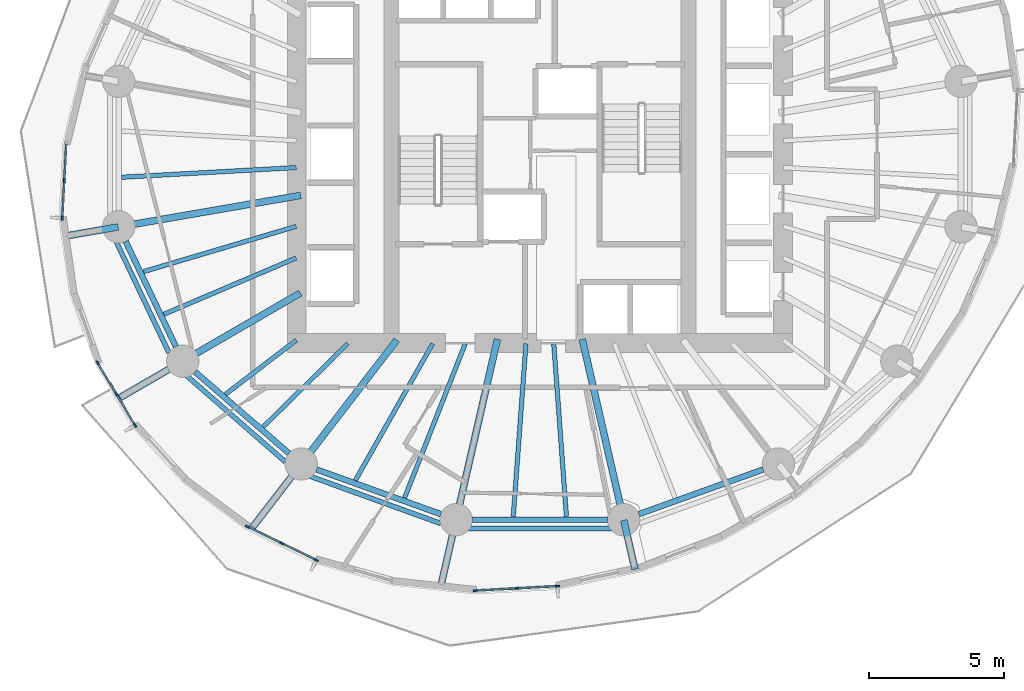
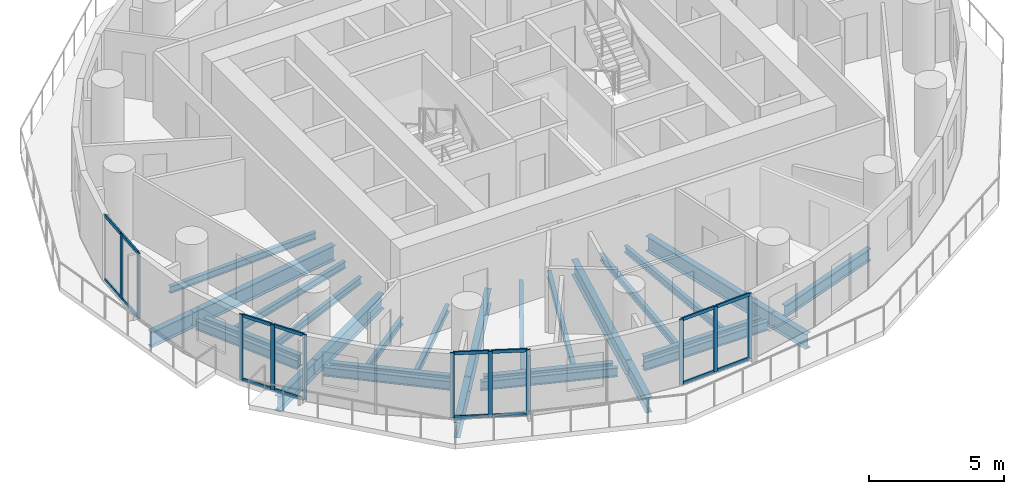
# One storey, part 2 of 15: 28 beams, 27 members, 4 elements without a shape of their own.
"""IFC4 building model written with IfcOpenShell, lengths in metres."""

from ifc_helpers import new_model, si_unit, direction, frame, origin, origin_2d, place, context, subcontext, project, spatial, rectangle, i_section, extrude, material, material_profile, profile_set, type_object, element, aggregate, save


model = new_model("IFC4")

# Units and contexts
model_context = context("Model", 3, precision=1e-05, world=origin(), true_north=direction((0.0, 1.0)))
body_context = subcontext(model_context, "Body", "Model", "MODEL_VIEW")
ifc_project = project(units=[si_unit("LENGTHUNIT", "METRE"), si_unit("AREAUNIT", "SQUARE_METRE"), si_unit("VOLUMEUNIT", "CUBIC_METRE"), si_unit("PLANEANGLEUNIT", "RADIAN"), si_unit("MASSUNIT", "GRAM", prefix="KILO")], contexts=[model_context])

# Site, building, storey
site_placement = place(None, origin())
site = spatial("IfcSite", under=ifc_project, at=site_placement, CompositionType="ELEMENT")
building_placement = place(site_placement, origin())
building = spatial("IfcBuilding", under=site, at=building_placement, Name="Veldorim Arch Residences", CompositionType="ELEMENT")
storey_placement = place(building_placement, frame((0.0, 0.0, 106.080078125)))
storey = spatial("IfcBuildingStorey", under=building, at=storey_placement, Name="L31", CompositionType="ELEMENT", Elevation=106.080078125)

# Beams
ifc_material_1 = material(Name="Steel S355", Category="steel")
ifc_material_profile_1 = material_profile(ifc_material_1, i_section(OverallWidth=0.2119140625, OverallDepth=0.54443359375, WebThickness=0.0126953125, FlangeThickness=0.021240234375, at=origin_2d()), Name="UB533x210x122")
ifc_profile_set_1 = profile_set([ifc_material_profile_1], Name="Steel S355")
beam_type_1 = type_object("IfcBeamType", Name="Structural Steel Beam UB533x210x122", PredefinedType="BEAM", material=ifc_profile_set_1)
beam_1_placement = place(storey_placement, frame((16.663818359375, 20.766357421875, -0.51220703125), z_axis=(0.430720154476, -0.902485539235, 0.0), x_axis=(0.902485539235, 0.430720154476, 0.0)))
element("IfcBeam", 1, at=beam_1_placement, inside=storey, type_object=beam_type_1, Name="L31 perimeter ring tie beam 09", PredefinedType="BEAM", context=body_context, shape_type="SweptSolid", body=[
    extrude(i_section(OverallWidth=0.2119140625, OverallDepth=0.54443359375, WebThickness=0.0126953125, FlangeThickness=0.021240234375, at=origin_2d()), origin(), (0.0, 0.0, 1.0), 4.312255859375),
])
beam_2_placement = place(storey_placement, frame((19.232666015625, 15.939697265625, -0.51220703125), z_axis=(0.755244952556, -0.655442645576, 0.0), x_axis=(0.655442645576, 0.755244952556, 0.0)))
element("IfcBeam", 2, at=beam_2_placement, inside=storey, type_object=beam_type_1, Name="L31 perimeter ring tie beam 10", PredefinedType="BEAM", context=body_context, shape_type="SweptSolid", body=[
    extrude(i_section(OverallWidth=0.2119140625, OverallDepth=0.54443359375, WebThickness=0.0126953125, FlangeThickness=0.021240234375, at=origin_2d()), origin(), (0.0, 0.0, 1.0), 4.608642578125),
])
beam_3_placement = place(storey_placement, frame((23.73095703125, 12.32275390625, -0.51220703125), z_axis=(0.941041944493, -0.338289903343, 0.0), x_axis=(0.338289903343, 0.941041944493, 0.0)))
element("IfcBeam", 3, at=beam_3_placement, inside=storey, type_object=beam_type_1, Name="L31 perimeter ring tie beam 11", PredefinedType="BEAM", context=body_context, shape_type="SweptSolid", body=[
    extrude(i_section(OverallWidth=0.2119140625, OverallDepth=0.54443359375, WebThickness=0.0126953125, FlangeThickness=0.021240234375, at=origin_2d()), origin(), (0.0, 0.0, 1.0), 4.890869140625),
])
beam_4_placement = place(storey_placement, frame((29.498046875, 10.465087890625, -0.51220703125), z_axis=(1.0, 0.0, 0.0), x_axis=(0.0, 1.0, 0.0)))
element("IfcBeam", 4, at=beam_4_placement, inside=storey, type_object=beam_type_1, Name="L31 perimeter ring tie beam 12", PredefinedType="BEAM", context=body_context, shape_type="SweptSolid", body=[
    extrude(i_section(OverallWidth=0.2119140625, OverallDepth=0.54443359375, WebThickness=0.0126953125, FlangeThickness=0.021240234375, at=origin_2d()), origin(), (0.0, 0.0, 1.0), 5.00390625),
])
beam_5_placement = place(storey_placement, frame((35.66650390625, 10.668212890625, -0.51220703125), z_axis=(0.941041944493, 0.338289903343, 0.0), x_axis=(-0.338289903343, 0.941041944493, 0.0)))
element("IfcBeam", 5, at=beam_5_placement, inside=storey, type_object=beam_type_1, Name="L31 perimeter ring tie beam 13", PredefinedType="BEAM", context=body_context, shape_type="SweptSolid", body=[
    extrude(i_section(OverallWidth=0.2119140625, OverallDepth=0.54443359375, WebThickness=0.0126953125, FlangeThickness=0.021240234375, at=origin_2d()), origin(), (0.0, 0.0, 1.0), 4.890869140625),
])
ifc_material_2 = material(Name="Steel S355", Category="steel")
ifc_material_profile_2 = material_profile(ifc_material_2, i_section(OverallWidth=0.25439453125, OverallDepth=0.6875, WebThickness=0.01318359375, FlangeThickness=0.02099609375, at=origin_2d()), Name="UB686x254x152")
ifc_profile_set_2 = profile_set([ifc_material_profile_2], Name="Steel S355")
beam_type_2 = type_object("IfcBeamType", Name="Structural Steel GIRDER UB686x254x152", PredefinedType="USERDEFINED", material=ifc_profile_set_2)
beam_6_placement = place(storey_placement, frame((23.147705078125, 22.4716796875, -0.583740234375), z_axis=(-0.985426622718, -0.17010106184, 0.0), x_axis=(0.17010106184, -0.985426622718, 0.0)))
element("IfcBeam", 6, at=beam_6_placement, inside=storey, type_object=beam_type_2, Name="L31 radial floor girder 09", ObjectType="GIRDER", PredefinedType="USERDEFINED", context=body_context, shape_type="SweptSolid", body=[
    extrude(i_section(OverallWidth=0.25439453125, OverallDepth=0.6875, WebThickness=0.01318359375, FlangeThickness=0.02099609375, at=origin_2d()), origin(), (0.0, 0.0, 1.0), 6.82177734375),
])
beam_7_placement = place(storey_placement, frame((16.3857421875, 21.304443359375, -0.583740234375), z_axis=(-0.985416355925, -0.170160528549, 0.0), x_axis=(0.170160528549, -0.985416355925, 0.0)))
element("IfcBeam", 7, at=beam_7_placement, inside=storey, type_object=beam_type_2, Name="L31 radial edge cantilever girder 09", ObjectType="GIRDER", PredefinedType="USERDEFINED", context=body_context, shape_type="SweptSolid", body=[
    extrude(i_section(OverallWidth=0.25439453125, OverallDepth=0.6875, WebThickness=0.01318359375, FlangeThickness=0.02099609375, at=origin_2d()), origin(), (0.0, 0.0, 1.0), 1.99853515625),
])
beam_8_placement = place(storey_placement, frame((23.1298828125, 18.85595703125, -0.583740234375), z_axis=(-0.865048957682, -0.501687453314, 0.0), x_axis=(0.501687453314, -0.865048957682, 0.0)))
element("IfcBeam", 8, at=beam_8_placement, inside=storey, type_object=beam_type_2, Name="L31 radial floor girder 10", ObjectType="GIRDER", PredefinedType="USERDEFINED", context=body_context, shape_type="SweptSolid", body=[
    extrude(i_section(OverallWidth=0.25439453125, OverallDepth=0.6875, WebThickness=0.01318359375, FlangeThickness=0.02099609375, at=origin_2d()), origin(), (0.0, 0.0, 1.0), 5.009033203125),
])
beam_9_placement = place(storey_placement, frame((18.76220703125, 16.322998046875, -0.583740234375), z_axis=(-0.865067975698, -0.501654659523, 0.0), x_axis=(0.501654659523, -0.865067975698, 0.0)))
element("IfcBeam", 9, at=beam_9_placement, inside=storey, type_object=beam_type_2, Name="L31 radial edge cantilever girder 10", ObjectType="GIRDER", PredefinedType="USERDEFINED", context=body_context, shape_type="SweptSolid", body=[
    extrude(i_section(OverallWidth=0.25439453125, OverallDepth=0.6875, WebThickness=0.01318359375, FlangeThickness=0.02099609375, at=origin_2d()), origin(), (0.0, 0.0, 1.0), 2.707275390625),
])
beam_10_placement = place(storey_placement, frame((26.702392578125, 17.118896484375, -0.583740234375), z_axis=(-0.609994628196, -0.792405548676, 0.0), x_axis=(0.792405548676, -0.609994628196, 0.0)))
element("IfcBeam", 10, at=beam_10_placement, inside=storey, type_object=beam_type_2, Name="L31 radial floor girder 11", ObjectType="GIRDER", PredefinedType="USERDEFINED", context=body_context, shape_type="SweptSolid", body=[
    extrude(i_section(OverallWidth=0.25439453125, OverallDepth=0.6875, WebThickness=0.01318359375, FlangeThickness=0.02099609375, at=origin_2d()), origin(), (0.0, 0.0, 1.0), 5.776611328125),
])
beam_11_placement = place(storey_placement, frame((23.154296875, 12.510009765625, -0.583740234375), z_axis=(-0.610006503027, -0.792396407277, 0.0), x_axis=(0.792396407277, -0.610006503027, 0.0)))
element("IfcBeam", 11, at=beam_11_placement, inside=storey, type_object=beam_type_2, Name="L31 radial edge cantilever girder 11", ObjectType="GIRDER", PredefinedType="USERDEFINED", context=body_context, shape_type="SweptSolid", body=[
    extrude(i_section(OverallWidth=0.25439453125, OverallDepth=0.6875, WebThickness=0.01318359375, FlangeThickness=0.02099609375, at=origin_2d()), origin(), (0.0, 0.0, 1.0), 2.99169921875),
])
beam_12_placement = place(storey_placement, frame((30.42919921875, 17.146240234375, -0.583740234375), z_axis=(-0.223374742148, -0.97473264261, 0.0), x_axis=(0.97473264261, -0.223374742148, 0.0)))
element("IfcBeam", 12, at=beam_12_placement, inside=storey, type_object=beam_type_2, Name="L31 radial floor girder 12", ObjectType="GIRDER", PredefinedType="USERDEFINED", context=body_context, shape_type="SweptSolid", body=[
    extrude(i_section(OverallWidth=0.25439453125, OverallDepth=0.6875, WebThickness=0.01318359375, FlangeThickness=0.02099609375, at=origin_2d()), origin(), (0.0, 0.0, 1.0), 6.834228515625),
])
beam_13_placement = place(storey_placement, frame((28.8935546875, 10.44580078125, -0.583740234375), z_axis=(-0.223351330049, -0.974738007552, 0.0), x_axis=(0.974738007552, -0.223351330049, 0.0)))
element("IfcBeam", 13, at=beam_13_placement, inside=storey, type_object=beam_type_2, Name="L31 radial edge cantilever girder 12", ObjectType="GIRDER", PredefinedType="USERDEFINED", context=body_context, shape_type="SweptSolid", body=[
    extrude(i_section(OverallWidth=0.25439453125, OverallDepth=0.6875, WebThickness=0.01318359375, FlangeThickness=0.02099609375, at=origin_2d()), origin(), (0.0, 0.0, 1.0), 2.530517578125),
])
beam_14_placement = place(storey_placement, frame((33.57080078125, 17.146240234375, -0.583740234375), z_axis=(0.223374742148, -0.97473264261, 0.0), x_axis=(0.97473264261, 0.223374742148, 0.0)))
element("IfcBeam", 14, at=beam_14_placement, inside=storey, type_object=beam_type_2, Name="L31 radial floor girder 13", ObjectType="GIRDER", PredefinedType="USERDEFINED", context=body_context, shape_type="SweptSolid", body=[
    extrude(i_section(OverallWidth=0.25439453125, OverallDepth=0.6875, WebThickness=0.01318359375, FlangeThickness=0.02099609375, at=origin_2d()), origin(), (0.0, 0.0, 1.0), 6.834228515625),
])
beam_15_placement = place(storey_placement, frame((35.1064453125, 10.44580078125, -0.583740234375), z_axis=(0.22332180692, -0.974744772007, 0.0), x_axis=(0.974744772007, 0.22332180692, 0.0)))
element("IfcBeam", 15, at=beam_15_placement, inside=storey, type_object=beam_type_2, Name="L31 radial edge cantilever girder 13", ObjectType="GIRDER", PredefinedType="USERDEFINED", context=body_context, shape_type="SweptSolid", body=[
    extrude(i_section(OverallWidth=0.25439453125, OverallDepth=0.6875, WebThickness=0.01318359375, FlangeThickness=0.02099609375, at=origin_2d()), origin(), (0.0, 0.0, 1.0), 1.8671875),
])
ifc_material_3 = material(Name="Steel S355", Category="steel")
ifc_material_profile_3 = material_profile(ifc_material_3, i_section(OverallWidth=0.165771484375, OverallDepth=0.306640625, WebThickness=0.006591796875, FlangeThickness=0.01171875, at=origin_2d()), Name="UB305x165x46")
ifc_profile_set_3 = profile_set([ifc_material_profile_3], Name="Steel S355")
beam_type_3 = type_object("IfcBeamType", Name="Structural Steel Joist UB305x165x46", PredefinedType="JOIST", material=ifc_profile_set_3)
beam_16_placement = place(storey_placement, frame((22.97998046875, 23.501708984375, -0.393310546875), z_axis=(-0.99847713097, -0.055167190702, 0.0), x_axis=(0.055167190702, -0.99847713097, 0.0)))
element("IfcBeam", 16, at=beam_16_placement, inside=storey, type_object=beam_type_3, Name="L31 secondary radial floor joist 08-2", PredefinedType="JOIST", context=body_context, shape_type="SweptSolid", body=[
    extrude(i_section(OverallWidth=0.165771484375, OverallDepth=0.306640625, WebThickness=0.006591796875, FlangeThickness=0.01171875, at=origin_2d()), origin(), (0.0, 0.0, 1.0), 6.474365234375),
])
beam_17_placement = place(storey_placement, frame((22.980712890625, 21.326416015625, -0.393310546875), z_axis=(-0.958753061488, -0.284240333324, 0.0), x_axis=(0.284240333324, -0.958753061488, 0.0)))
element("IfcBeam", 17, at=beam_17_placement, inside=storey, type_object=beam_type_3, Name="L31 secondary radial floor joist 09-1", PredefinedType="JOIST", context=body_context, shape_type="SweptSolid", body=[
    extrude(i_section(OverallWidth=0.165771484375, OverallDepth=0.306640625, WebThickness=0.006591796875, FlangeThickness=0.01171875, at=origin_2d()), origin(), (0.0, 0.0, 1.0), 5.906005859375),
])
beam_18_placement = place(storey_placement, frame((22.981689453125, 20.158447265625, -0.393310546875), z_axis=(-0.919997395122, -0.391924473552, 0.0), x_axis=(0.391924473552, -0.919997395122, 0.0)))
element("IfcBeam", 18, at=beam_18_placement, inside=storey, type_object=beam_type_3, Name="L31 secondary radial floor joist 09-2", PredefinedType="JOIST", context=body_context, shape_type="SweptSolid", body=[
    extrude(i_section(OverallWidth=0.165771484375, OverallDepth=0.306640625, WebThickness=0.006591796875, FlangeThickness=0.01171875, at=origin_2d()), origin(), (0.0, 0.0, 1.0), 5.334716796875),
])
beam_19_placement = place(storey_placement, frame((22.984130859375, 17.111572265625, -0.393310546875), z_axis=(-0.794594763594, -0.60714014994, 0.0), x_axis=(0.60714014994, -0.794594763594, 0.0)))
element("IfcBeam", 19, at=beam_19_placement, inside=storey, type_object=beam_type_3, Name="L31 secondary radial floor joist 10-1", PredefinedType="JOIST", context=body_context, shape_type="SweptSolid", body=[
    extrude(i_section(OverallWidth=0.165771484375, OverallDepth=0.306640625, WebThickness=0.006591796875, FlangeThickness=0.01171875, at=origin_2d()), origin(), (0.0, 0.0, 1.0), 3.30419921875),
])
beam_20_placement = place(storey_placement, frame((24.885986328125, 16.986083984375, -0.393310546875), z_axis=(-0.712111629941, -0.702066255066, 0.0), x_axis=(0.702066255066, -0.712111629941, 0.0)))
element("IfcBeam", 20, at=beam_20_placement, inside=storey, type_object=beam_type_3, Name="L31 secondary radial floor joist 10-2", PredefinedType="JOIST", context=body_context, shape_type="SweptSolid", body=[
    extrude(i_section(OverallWidth=0.165771484375, OverallDepth=0.306640625, WebThickness=0.006591796875, FlangeThickness=0.01171875, at=origin_2d()), origin(), (0.0, 0.0, 1.0), 4.39892578125),
])
beam_21_placement = place(storey_placement, frame((28.03173828125, 16.982666015625, -0.393310546875), z_axis=(-0.492227411199, -0.870466642476, 0.0), x_axis=(0.870466642476, -0.492227411199, 0.0)))
element("IfcBeam", 21, at=beam_21_placement, inside=storey, type_object=beam_type_3, Name="L31 secondary radial floor joist 11-1", PredefinedType="JOIST", context=body_context, shape_type="SweptSolid", body=[
    extrude(i_section(OverallWidth=0.165771484375, OverallDepth=0.306640625, WebThickness=0.006591796875, FlangeThickness=0.01171875, at=origin_2d()), origin(), (0.0, 0.0, 1.0), 5.81494140625),
])
beam_22_placement = place(storey_placement, frame((29.238037109375, 16.9814453125, -0.393310546875), z_axis=(-0.366194870364, -0.930538186707, 0.0), x_axis=(0.930538186707, -0.366194870364, 0.0)))
element("IfcBeam", 22, at=beam_22_placement, inside=storey, type_object=beam_type_3, Name="L31 secondary radial floor joist 11-2", PredefinedType="JOIST", context=body_context, shape_type="SweptSolid", body=[
    extrude(i_section(OverallWidth=0.165771484375, OverallDepth=0.306640625, WebThickness=0.006591796875, FlangeThickness=0.01171875, at=origin_2d()), origin(), (0.0, 0.0, 1.0), 6.1396484375),
])
for number, where, z_axis, x_axis, name in (
    (23, (31.485107421875, 16.97998046875, -0.393310546875), (-0.073143494169, -0.997321427254, 0.0), (0.997321427254, -0.073143494169, 0.0), "L31 secondary radial floor joist 12-1"),
    (24, (32.514892578125, 16.97998046875, -0.393310546875), (0.073143494169, -0.997321427254, 0.0), (0.997321427254, 0.073143494169, 0.0), "L31 secondary radial floor joist 12-2"),
):
    element("IfcBeam", number, at=place(storey_placement, frame(where, z_axis=z_axis, x_axis=x_axis)), inside=storey, type_object=beam_type_3, Name=name, PredefinedType="JOIST", context=body_context, shape_type="SweptSolid", body=[
        extrude(i_section(OverallWidth=0.165771484375, OverallDepth=0.306640625, WebThickness=0.006591796875, FlangeThickness=0.01171875, at=origin_2d()), origin(), (0.0, 0.0, 1.0), 6.421875),
    ])
ifc_material_4 = material(Name="Steel S355", Category="steel")
ifc_material_profile_4 = material_profile(ifc_material_4, i_section(OverallWidth=0.1787109375, OverallDepth=0.409423828125, WebThickness=0.0087890625, FlangeThickness=0.014404296875, at=origin_2d()), Name="UB406x178x67")
ifc_profile_set_4 = profile_set([ifc_material_profile_4], Name="Steel S355")
beam_type_4 = type_object("IfcBeamType", Name="Structural Steel Spandrel UB406x178x67", PredefinedType="SPANDREL", material=ifc_profile_set_4)
beam_23_placement = place(storey_placement, frame((16.306884765625, 20.774658203125, -0.46484375), z_axis=(0.428857472204, -0.903372165021, 0.0), x_axis=(0.903372165021, 0.428857472204, 0.0)))
element("IfcBeam", 25, at=beam_23_placement, inside=storey, type_object=beam_type_4, Name="L31 perimeter chord spandrel beam 09", PredefinedType="SPANDREL", context=body_context, shape_type="SweptSolid", body=[
    extrude(i_section(OverallWidth=0.1787109375, OverallDepth=0.409423828125, WebThickness=0.0087890625, FlangeThickness=0.014404296875, at=origin_2d()), origin(), (0.0, 0.0, 1.0), 4.572021484375),
])
beam_24_placement = place(storey_placement, frame((18.891845703125, 15.8203125, -0.46484375), z_axis=(0.753323239074, -0.65765043714, 0.0), x_axis=(0.65765043714, 0.753323239074, 0.0)))
element("IfcBeam", 26, at=beam_24_placement, inside=storey, type_object=beam_type_4, Name="L31 perimeter chord spandrel beam 10", PredefinedType="SPANDREL", context=body_context, shape_type="SweptSolid", body=[
    extrude(i_section(OverallWidth=0.1787109375, OverallDepth=0.409423828125, WebThickness=0.0087890625, FlangeThickness=0.014404296875, at=origin_2d()), origin(), (0.0, 0.0, 1.0), 4.879150390625),
])
beam_25_placement = place(storey_placement, frame((23.461669921875, 12.08447265625, -0.46484375), z_axis=(0.940307501418, -0.340326024244, 0.0), x_axis=(0.340326024244, 0.940307501418, 0.0)))
element("IfcBeam", 27, at=beam_25_placement, inside=storey, type_object=beam_type_4, Name="L31 perimeter chord spandrel beam 11", PredefinedType="SPANDREL", context=body_context, shape_type="SweptSolid", body=[
    extrude(i_section(OverallWidth=0.1787109375, OverallDepth=0.409423828125, WebThickness=0.0087890625, FlangeThickness=0.014404296875, at=origin_2d()), origin(), (0.0, 0.0, 1.0), 5.175048828125),
])
beam_26_placement = place(storey_placement, frame((29.352294921875, 10.1435546875, -0.46484375), z_axis=(1.0, 0.0, 0.0), x_axis=(0.0, 1.0, 0.0)))
element("IfcBeam", 28, at=beam_26_placement, inside=storey, type_object=beam_type_4, Name="L31 perimeter chord spandrel beam 12", PredefinedType="SPANDREL", context=body_context, shape_type="SweptSolid", body=[
    extrude(i_section(OverallWidth=0.1787109375, OverallDepth=0.409423828125, WebThickness=0.0087890625, FlangeThickness=0.014404296875, at=origin_2d()), origin(), (0.0, 0.0, 1.0), 5.29541015625),
])

# Curtain wall, members
ifc_material_5 = material(Name="Aluminium", Category="aluminium")
curtain_wall_type = type_object("IfcCurtainWallType", Name="Zone 2 Solar-Control Unitised Curtain Wall", PredefinedType="NOTDEFINED", material=ifc_material_5)
curtain_wall_1_placement = place(storey_placement, origin())
curtain_wall_1 = element("IfcCurtainWall", 29, at=curtain_wall_1_placement, inside=storey, type_object=curtain_wall_type, Name="L31 unitised curtain wall bay 16", PredefinedType="NOTDEFINED")
ifc_material_6 = material(Name="Aluminium", Category="aluminium")
ifc_material_profile_5 = material_profile(ifc_material_6, rectangle(XDim=0.06494140625, YDim=0.1650390625, at=origin_2d()), Name="ALU_MUL_65x165")
ifc_profile_set_5 = profile_set([ifc_material_profile_5], Name="Aluminium")
member_type_1 = type_object("IfcMemberType", Name="Zone 2 Solar-Control Unitised Curtain Wall Mullion 65x165", PredefinedType="MULLION", material=ifc_profile_set_5)
member_1_placement = place(storey_placement, frame((14.31591796875, 21.635498046875, 0.0), z_axis=(0.0, 0.0, 1.0), x_axis=(-0.998590099536, 0.053083077429, 0.0)))
member_1 = element("IfcMember", 30, at=member_1_placement, type_object=member_type_1, Name="CW-Z2 mullion 1", PredefinedType="MULLION", context=body_context, shape_type="SweptSolid", body=[
    extrude(rectangle(XDim=0.06494140625, YDim=0.1650390625, at=origin_2d()), origin(), (0.0, 0.0, 1.0), 2.9599609375),
])
member_2_placement = place(storey_placement, frame((14.389404296875, 23.017578125, 0.0), z_axis=(0.0, 0.0, 1.0), x_axis=(-0.998590099536, 0.053083077429, 0.0)))
member_2 = element("IfcMember", 31, at=member_2_placement, type_object=member_type_1, Name="CW-Z2 mullion 2", PredefinedType="MULLION", context=body_context, shape_type="SweptSolid", body=[
    extrude(rectangle(XDim=0.06494140625, YDim=0.1650390625, at=origin_2d()), origin(), (0.0, 0.0, 1.0), 2.9599609375),
])

curtain_wall_2_placement = place(storey_placement, origin())
curtain_wall_2 = element("IfcCurtainWall", 32, at=curtain_wall_2_placement, inside=storey, type_object=curtain_wall_type, Name="L31 unitised curtain wall bay 19", PredefinedType="NOTDEFINED")
member_3_placement = place(storey_placement, frame((17.010986328125, 13.960205078125, 0.0), z_axis=(0.0, 0.0, 1.0), x_axis=(-0.85756971039, -0.514367759315, 0.0)))
member_3 = element("IfcMember", 33, at=member_3_placement, type_object=member_type_1, Name="CW-Z2 mullion 1", PredefinedType="MULLION", context=body_context, shape_type="SweptSolid", body=[
    extrude(rectangle(XDim=0.06494140625, YDim=0.1650390625, at=origin_2d()), origin(), (0.0, 0.0, 1.0), 2.9599609375),
])
member_4_placement = place(storey_placement, frame((16.318603515625, 15.11474609375, 0.0), z_axis=(0.0, 0.0, 1.0), x_axis=(-0.85756971039, -0.514367759315, 0.0)))
member_4 = element("IfcMember", 34, at=member_4_placement, type_object=member_type_1, Name="CW-Z2 mullion 2", PredefinedType="MULLION", context=body_context, shape_type="SweptSolid", body=[
    extrude(rectangle(XDim=0.06494140625, YDim=0.1650390625, at=origin_2d()), origin(), (0.0, 0.0, 1.0), 2.9599609375),
])
member_5_placement = place(storey_placement, frame((15.6259765625, 16.269287109375, 0.0), z_axis=(0.0, 0.0, 1.0), x_axis=(-0.85756971039, -0.514367759315, 0.0)))
member_5 = element("IfcMember", 35, at=member_5_placement, type_object=member_type_1, Name="CW-Z2 mullion 3", PredefinedType="MULLION", context=body_context, shape_type="SweptSolid", body=[
    extrude(rectangle(XDim=0.06494140625, YDim=0.1650390625, at=origin_2d()), origin(), (0.0, 0.0, 1.0), 2.9599609375),
])

curtain_wall_3_placement = place(storey_placement, origin())
curtain_wall_3 = element("IfcCurtainWall", 36, at=curtain_wall_3_placement, inside=storey, type_object=curtain_wall_type, Name="L31 unitised curtain wall bay 22", PredefinedType="NOTDEFINED")
member_6_placement = place(storey_placement, frame((23.71923828125, 8.969482421875, 0.0), z_axis=(0.0, 0.0, 1.0), x_axis=(-0.436999671959, -0.899461664946, 0.0)))
member_6 = element("IfcMember", 37, at=member_6_placement, type_object=member_type_1, Name="CW-Z2 mullion 1", PredefinedType="MULLION", context=body_context, shape_type="SweptSolid", body=[
    extrude(rectangle(XDim=0.06494140625, YDim=0.1650390625, at=origin_2d()), origin(), (0.0, 0.0, 1.0), 2.9599609375),
])
member_7_placement = place(storey_placement, frame((22.44482421875, 9.588623046875, 0.0), z_axis=(0.0, 0.0, 1.0), x_axis=(-0.436999671959, -0.899461664946, 0.0)))
member_7 = element("IfcMember", 38, at=member_7_placement, type_object=member_type_1, Name="CW-Z2 mullion 2", PredefinedType="MULLION", context=body_context, shape_type="SweptSolid", body=[
    extrude(rectangle(XDim=0.06494140625, YDim=0.1650390625, at=origin_2d()), origin(), (0.0, 0.0, 1.0), 2.9599609375),
])
member_8_placement = place(storey_placement, frame((21.170654296875, 10.207763671875, 0.0), z_axis=(0.0, 0.0, 1.0), x_axis=(-0.436999671959, -0.899461664946, 0.0)))
member_8 = element("IfcMember", 39, at=member_8_placement, type_object=member_type_1, Name="CW-Z2 mullion 3", PredefinedType="MULLION", context=body_context, shape_type="SweptSolid", body=[
    extrude(rectangle(XDim=0.06494140625, YDim=0.1650390625, at=origin_2d()), origin(), (0.0, 0.0, 1.0), 2.9599609375),
])

curtain_wall_4_placement = place(storey_placement, origin())
curtain_wall_4 = element("IfcCurtainWall", 40, at=curtain_wall_4_placement, inside=storey, type_object=curtain_wall_type, Name="L31 unitised curtain wall bay 25", PredefinedType="NOTDEFINED")
member_9_placement = place(storey_placement, frame((32.65185546875, 8.003662109375, 0.0), z_axis=(0.0, 0.0, 1.0), x_axis=(0.055127201045, -0.998479339649, 0.0)))
member_9 = element("IfcMember", 41, at=member_9_placement, type_object=member_type_1, Name="CW-Z2 mullion 1", PredefinedType="MULLION", context=body_context, shape_type="SweptSolid", body=[
    extrude(rectangle(XDim=0.06494140625, YDim=0.1650390625, at=origin_2d()), origin(), (0.0, 0.0, 1.0), 2.9599609375),
])
member_10_placement = place(storey_placement, frame((31.1357421875, 7.919921875, 0.0), z_axis=(0.0, 0.0, 1.0), x_axis=(0.055127201045, -0.998479339649, 0.0)))
member_10 = element("IfcMember", 42, at=member_10_placement, type_object=member_type_1, Name="CW-Z2 mullion 2", PredefinedType="MULLION", context=body_context, shape_type="SweptSolid", body=[
    extrude(rectangle(XDim=0.06494140625, YDim=0.1650390625, at=origin_2d()), origin(), (0.0, 0.0, 1.0), 2.9599609375),
])
member_11_placement = place(storey_placement, frame((29.61962890625, 7.836181640625, 0.0), z_axis=(0.0, 0.0, 1.0), x_axis=(0.055127201045, -0.998479339649, 0.0)))
member_11 = element("IfcMember", 43, at=member_11_placement, type_object=member_type_1, Name="CW-Z2 mullion 3", PredefinedType="MULLION", context=body_context, shape_type="SweptSolid", body=[
    extrude(rectangle(XDim=0.06494140625, YDim=0.1650390625, at=origin_2d()), origin(), (0.0, 0.0, 1.0), 2.9599609375),
])

# Member
ifc_material_7 = material(Name="Aluminium", Category="aluminium")
ifc_material_profile_6 = material_profile(ifc_material_7, rectangle(XDim=0.06494140625, YDim=0.14501953125, at=origin_2d()), Name="ALU_TRN_65x145")
ifc_profile_set_6 = profile_set([ifc_material_profile_6], Name="Aluminium")
member_type_2 = type_object("IfcMemberType", Name="Zone 2 Solar-Control Unitised Curtain Wall Transom 65x145", PredefinedType="USERDEFINED", material=ifc_profile_set_6)
member_12_placement = place(storey_placement, frame((14.31787109375, 21.66796875, 0.032470703125), z_axis=(0.052937715551, 0.998597816076, 0.0), x_axis=(-0.998597816076, 0.052937715551, 0.0)))
member_12 = element("IfcMember", 44, at=member_12_placement, type_object=member_type_2, Name="CW-Z2 transom 1.1", ObjectType="TRANSOM", PredefinedType="USERDEFINED", context=body_context, shape_type="SweptSolid", body=[
    extrude(rectangle(XDim=0.06494140625, YDim=0.14501953125, at=origin_2d()), origin(), (0.0, 0.0, 1.0), 1.319091796875),
])

member_13_placement = place(storey_placement, frame((14.31787109375, 21.66796875, 2.927490234375), z_axis=(0.052937715551, 0.998597816076, 0.0), x_axis=(-0.998597816076, 0.052937715551, 0.0)))
member_13 = element("IfcMember", 45, at=member_13_placement, type_object=member_type_2, Name="CW-Z2 transom 1.2", ObjectType="TRANSOM", PredefinedType="USERDEFINED", context=body_context, shape_type="SweptSolid", body=[
    extrude(rectangle(XDim=0.06494140625, YDim=0.14501953125, at=origin_2d()), origin(), (0.0, 0.0, 1.0), 1.319091796875),
])

member_14_placement = place(storey_placement, frame((14.39111328125, 23.050048828125, 0.032470703125), z_axis=(0.053112474047, 0.998588536436, 0.0), x_axis=(-0.998588536436, 0.053112474047, 0.0)))
member_14 = element("IfcMember", 46, at=member_14_placement, type_object=member_type_2, Name="CW-Z2 transom 2.1", ObjectType="TRANSOM", PredefinedType="USERDEFINED", context=body_context, shape_type="SweptSolid", body=[
    extrude(rectangle(XDim=0.06494140625, YDim=0.14501953125, at=origin_2d()), origin(), (0.0, 0.0, 1.0), 1.3193359375),
])

member_15_placement = place(storey_placement, frame((14.39111328125, 23.050048828125, 2.927490234375), z_axis=(0.053112474047, 0.998588536436, 0.0), x_axis=(-0.998588536436, 0.053112474047, 0.0)))
member_15 = element("IfcMember", 47, at=member_15_placement, type_object=member_type_2, Name="CW-Z2 transom 2.2", ObjectType="TRANSOM", PredefinedType="USERDEFINED", context=body_context, shape_type="SweptSolid", body=[
    extrude(rectangle(XDim=0.06494140625, YDim=0.14501953125, at=origin_2d()), origin(), (0.0, 0.0, 1.0), 1.3193359375),
])

aggregate(curtain_wall_1, [member_1, member_2, member_12, member_13, member_14, member_15])

member_16_placement = place(storey_placement, frame((16.994384765625, 13.988037109375, 0.032470703125), z_axis=(-0.514411698757, 0.857543354112, 0.0), x_axis=(-0.857543354112, -0.514411698757, 0.0)))
member_16 = element("IfcMember", 48, at=member_16_placement, type_object=member_type_2, Name="CW-Z2 transom 1.1", ObjectType="TRANSOM", PredefinedType="USERDEFINED", context=body_context, shape_type="SweptSolid", body=[
    extrude(rectangle(XDim=0.06494140625, YDim=0.14501953125, at=origin_2d()), origin(), (0.0, 0.0, 1.0), 1.281494140625),
])

member_17_placement = place(storey_placement, frame((16.994384765625, 13.988037109375, 2.927490234375), z_axis=(-0.514411698757, 0.857543354112, 0.0), x_axis=(-0.857543354112, -0.514411698757, 0.0)))
member_17 = element("IfcMember", 49, at=member_17_placement, type_object=member_type_2, Name="CW-Z2 transom 1.2", ObjectType="TRANSOM", PredefinedType="USERDEFINED", context=body_context, shape_type="SweptSolid", body=[
    extrude(rectangle(XDim=0.06494140625, YDim=0.14501953125, at=origin_2d()), origin(), (0.0, 0.0, 1.0), 1.281494140625),
])

member_18_placement = place(storey_placement, frame((16.3017578125, 15.142578125, 0.032470703125), z_axis=(-0.514271571349, 0.85762739631, 0.0), x_axis=(-0.85762739631, -0.514271571349, 0.0)))
member_18 = element("IfcMember", 50, at=member_18_placement, type_object=member_type_2, Name="CW-Z2 transom 2.1", ObjectType="TRANSOM", PredefinedType="USERDEFINED", context=body_context, shape_type="SweptSolid", body=[
    extrude(rectangle(XDim=0.06494140625, YDim=0.14501953125, at=origin_2d()), origin(), (0.0, 0.0, 1.0), 1.28125),
])

member_19_placement = place(storey_placement, frame((16.3017578125, 15.142578125, 2.927490234375), z_axis=(-0.514271571349, 0.85762739631, 0.0), x_axis=(-0.85762739631, -0.514271571349, 0.0)))
member_19 = element("IfcMember", 51, at=member_19_placement, type_object=member_type_2, Name="CW-Z2 transom 2.2", ObjectType="TRANSOM", PredefinedType="USERDEFINED", context=body_context, shape_type="SweptSolid", body=[
    extrude(rectangle(XDim=0.06494140625, YDim=0.14501953125, at=origin_2d()), origin(), (0.0, 0.0, 1.0), 1.28125),
])

aggregate(curtain_wall_2, [member_3, member_4, member_5, member_16, member_17, member_18, member_19])

member_20_placement = place(storey_placement, frame((23.68994140625, 8.983642578125, 0.032470703125), z_axis=(-0.899427024625, 0.437070963774, 0.0), x_axis=(-0.437070963774, -0.899427024625, 0.0)))
member_20 = element("IfcMember", 52, at=member_20_placement, type_object=member_type_2, Name="CW-Z2 transom 1.1", ObjectType="TRANSOM", PredefinedType="USERDEFINED", context=body_context, shape_type="SweptSolid", body=[
    extrude(rectangle(XDim=0.06494140625, YDim=0.14501953125, at=origin_2d()), origin(), (0.0, 0.0, 1.0), 1.351806640625),
])

member_21_placement = place(storey_placement, frame((23.68994140625, 8.983642578125, 2.927490234375), z_axis=(-0.899427024625, 0.437070963774, 0.0), x_axis=(-0.437070963774, -0.899427024625, 0.0)))
member_21 = element("IfcMember", 53, at=member_21_placement, type_object=member_type_2, Name="CW-Z2 transom 1.2", ObjectType="TRANSOM", PredefinedType="USERDEFINED", context=body_context, shape_type="SweptSolid", body=[
    extrude(rectangle(XDim=0.06494140625, YDim=0.14501953125, at=origin_2d()), origin(), (0.0, 0.0, 1.0), 1.351806640625),
])

member_22_placement = place(storey_placement, frame((22.415771484375, 9.602783203125, 0.032470703125), z_axis=(-0.899427024625, 0.437070963774, 0.0), x_axis=(-0.437070963774, -0.899427024625, 0.0)))
member_22 = element("IfcMember", 54, at=member_22_placement, type_object=member_type_2, Name="CW-Z2 transom 2.1", ObjectType="TRANSOM", PredefinedType="USERDEFINED", context=body_context, shape_type="SweptSolid", body=[
    extrude(rectangle(XDim=0.06494140625, YDim=0.14501953125, at=origin_2d()), origin(), (0.0, 0.0, 1.0), 1.351806640625),
])

member_23_placement = place(storey_placement, frame((22.415771484375, 9.602783203125, 2.927490234375), z_axis=(-0.899427024625, 0.437070963774, 0.0), x_axis=(-0.437070963774, -0.899427024625, 0.0)))
member_23 = element("IfcMember", 55, at=member_23_placement, type_object=member_type_2, Name="CW-Z2 transom 2.2", ObjectType="TRANSOM", PredefinedType="USERDEFINED", context=body_context, shape_type="SweptSolid", body=[
    extrude(rectangle(XDim=0.06494140625, YDim=0.14501953125, at=origin_2d()), origin(), (0.0, 0.0, 1.0), 1.351806640625),
])

aggregate(curtain_wall_3, [member_6, member_7, member_8, member_20, member_21, member_22, member_23])

member_24_placement = place(storey_placement, frame((32.619384765625, 8.001708984375, 0.032470703125), z_axis=(-0.998480958477, -0.05509787254, 0.0), x_axis=(0.05509787254, -0.998480958477, 0.0)))
member_24 = element("IfcMember", 56, at=member_24_placement, type_object=member_type_2, Name="CW-Z2 transom 1.1", ObjectType="TRANSOM", PredefinedType="USERDEFINED", context=body_context, shape_type="SweptSolid", body=[
    extrude(rectangle(XDim=0.06494140625, YDim=0.14501953125, at=origin_2d()), origin(), (0.0, 0.0, 1.0), 1.453369140625),
])

member_25_placement = place(storey_placement, frame((32.619384765625, 8.001708984375, 2.927490234375), z_axis=(-0.998480958477, -0.05509787254, 0.0), x_axis=(0.05509787254, -0.998480958477, 0.0)))
member_25 = element("IfcMember", 57, at=member_25_placement, type_object=member_type_2, Name="CW-Z2 transom 1.2", ObjectType="TRANSOM", PredefinedType="USERDEFINED", context=body_context, shape_type="SweptSolid", body=[
    extrude(rectangle(XDim=0.06494140625, YDim=0.14501953125, at=origin_2d()), origin(), (0.0, 0.0, 1.0), 1.453369140625),
])

member_26_placement = place(storey_placement, frame((31.103271484375, 7.918212890625, 0.032470703125), z_axis=(-0.998471703165, -0.055265341578, 0.0), x_axis=(0.055265341578, -0.998471703165, 0.0)))
member_26 = element("IfcMember", 58, at=member_26_placement, type_object=member_type_2, Name="CW-Z2 transom 2.1", ObjectType="TRANSOM", PredefinedType="USERDEFINED", context=body_context, shape_type="SweptSolid", body=[
    extrude(rectangle(XDim=0.06494140625, YDim=0.14501953125, at=origin_2d()), origin(), (0.0, 0.0, 1.0), 1.453369140625),
])

member_27_placement = place(storey_placement, frame((31.103271484375, 7.918212890625, 2.927490234375), z_axis=(-0.998471703165, -0.055265341578, 0.0), x_axis=(0.055265341578, -0.998471703165, 0.0)))
member_27 = element("IfcMember", 59, at=member_27_placement, type_object=member_type_2, Name="CW-Z2 transom 2.2", ObjectType="TRANSOM", PredefinedType="USERDEFINED", context=body_context, shape_type="SweptSolid", body=[
    extrude(rectangle(XDim=0.06494140625, YDim=0.14501953125, at=origin_2d()), origin(), (0.0, 0.0, 1.0), 1.453369140625),
])

aggregate(curtain_wall_4, [member_9, member_10, member_11, member_24, member_25, member_26, member_27])

save(model, "model.ifc")
